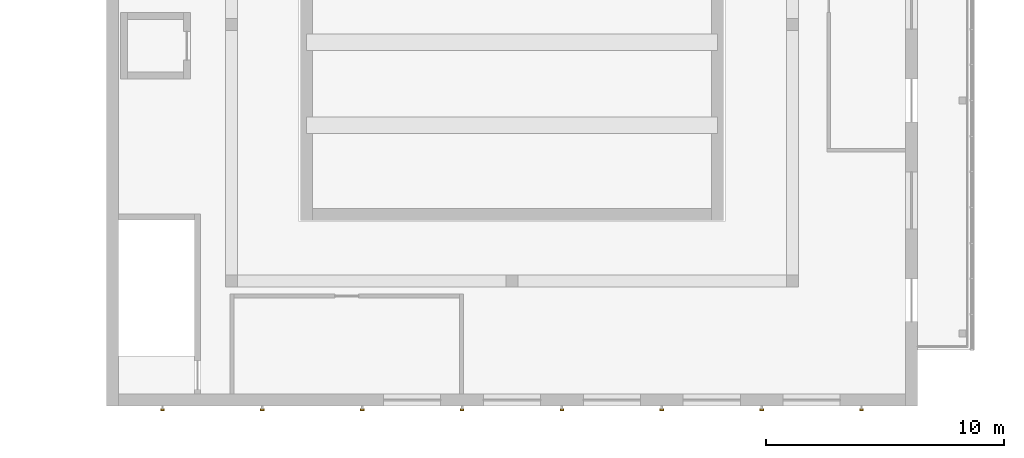
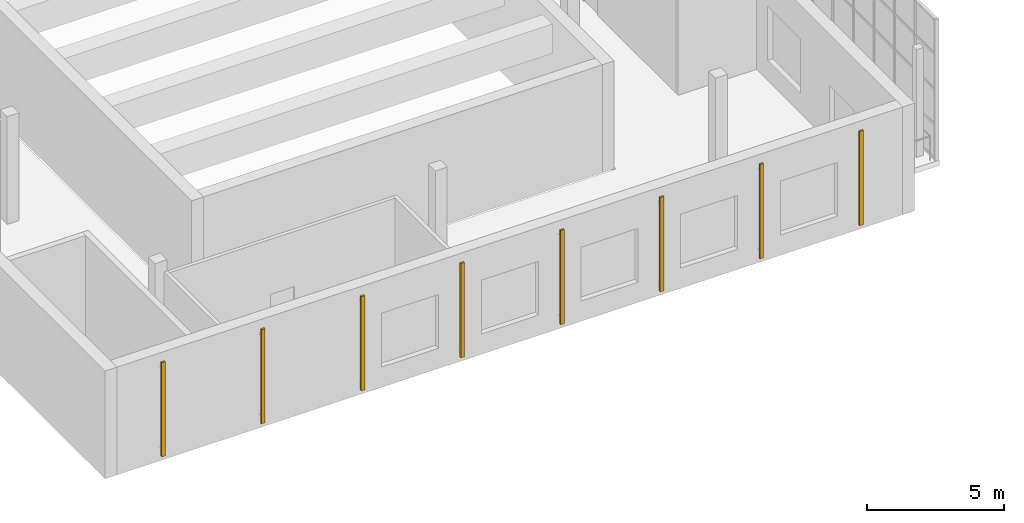
# One storey, part 101 of 116: 8 shading devices.
"""IFC4 building model written with IfcOpenShell, lengths in metres."""

from ifc_helpers import new_model, si_unit, direction, frame, origin, origin_2d, place, context, subcontext, project, spatial, rectangle, extrude, material, type_object, element, save


model = new_model("IFC4")

# Units and contexts
model_context = context("Model", 3, precision=1e-05, world=origin(), true_north=direction((0.0, 1.0)))
body_context = subcontext(model_context, "Body", "Model", "MODEL_VIEW")
ifc_project = project(units=[si_unit("LENGTHUNIT", "METRE"), si_unit("AREAUNIT", "SQUARE_METRE"), si_unit("VOLUMEUNIT", "CUBIC_METRE"), si_unit("PLANEANGLEUNIT", "RADIAN"), si_unit("MASSUNIT", "GRAM", prefix="KILO")], contexts=[model_context])

# Site, building, storey
site_placement = place(None, origin())
site = spatial("IfcSite", under=ifc_project, at=site_placement, CompositionType="ELEMENT")
building_placement = place(site_placement, origin())
building = spatial("IfcBuilding", under=site, at=building_placement, Name="Ljudholm Concert House", CompositionType="ELEMENT")
storey_placement = place(building_placement, frame((0.0, 0.0, 10.199951171875)))
storey = spatial("IfcBuildingStorey", under=building, at=storey_placement, Name="L02", CompositionType="ELEMENT", Elevation=10.199951171875)

# Shading devices
ifc_material = material(Name="Aluminium extrusion with timber-grain PVDF finish", Category="aluminium")
shading_device_type = type_object("IfcShadingDeviceType", Name="FACADE FIN 80x160", PredefinedType="SHUTTER", material=ifc_material)
for number, where, z_axis, x_axis, name in (
    (1, (14.5, 3.590087890625, 0.30029296875), (0.0, 0.0, 1.0), (0.0, -1.0, 0.0), "Facade fin"),
    (2, (18.699951171875, 3.590087890625, 0.30029296875), (0.0, 0.0, 1.0), (0.0, -1.0, 0.0), "Facade fin"),
    (3, (22.89990234375, 3.590087890625, 0.30029296875), (0.0, 0.0, 1.0), (0.0, -1.0, 0.0), "Facade fin"),
    (4, (27.10009765625, 3.590087890625, 0.30029296875), (0.0, 0.0, 1.0), (0.0, -1.0, 0.0), "Facade fin"),
    (5, (31.300048828125, 3.590087890625, 0.30029296875), (0.0, 0.0, 1.0), (0.0, -1.0, 0.0), "Facade fin"),
    (6, (35.5, 3.590087890625, 0.30029296875), (0.0, 0.0, 1.0), (0.0, -1.0, 0.0), "Facade fin"),
    (7, (39.699951171875, 3.590087890625, 0.30029296875), (0.0, 0.0, 1.0), (0.0, -1.0, 0.0), "Facade fin"),
    (8, (43.89990234375, 3.590087890625, 0.30029296875), (0.0, 0.0, 1.0), (0.0, -1.0, 0.0), "Facade fin"),
):
    element("IfcShadingDevice", number, at=place(storey_placement, frame(where, z_axis=z_axis, x_axis=x_axis)), inside=storey, type_object=shading_device_type, Name=name, PredefinedType="SHUTTER", context=body_context, shape_type="SweptSolid", body=[
        extrude(rectangle(XDim=0.080078125, YDim=0.159912109375, at=origin_2d()), origin(), (0.0, 0.0, 1.0), 4.199951171875),
    ])

save(model, "model.ifc")
